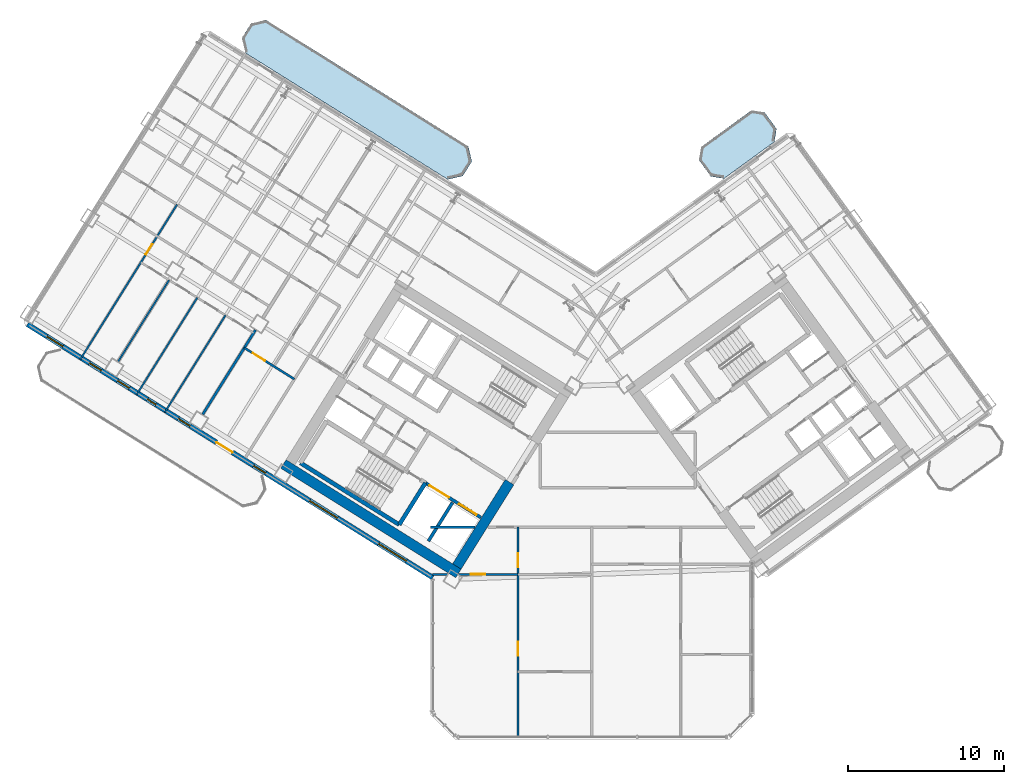
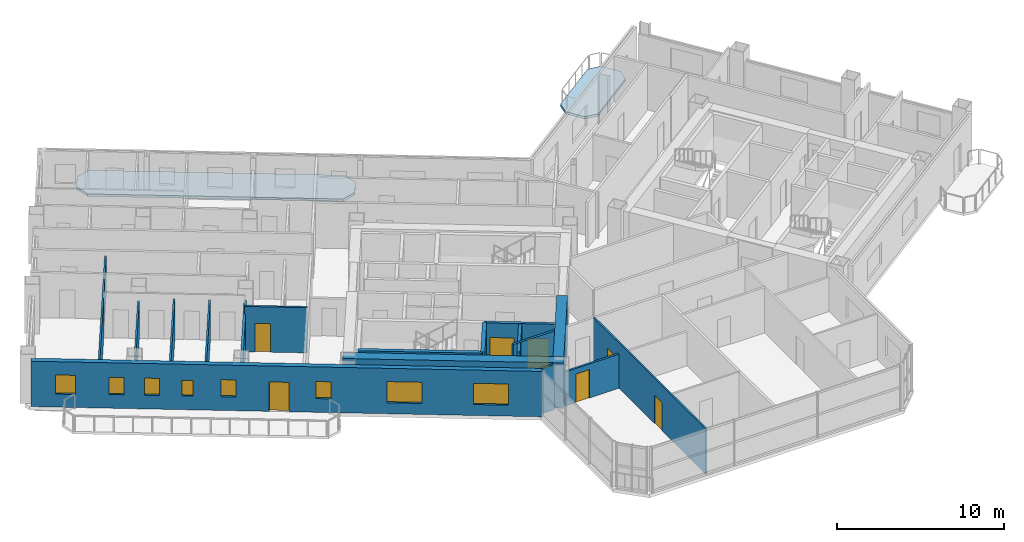
# One storey, part 11 of 22: 17 walls, 8 doors, 8 windows, 2 slabs, 16 openings.
"""IFC4 building model written with IfcOpenShell, lengths in metres."""

from ifc_helpers import new_model, si_unit, direction, frame, frame_2d, origin, place, context, subcontext, project, spatial, polyline, rectangle, outline, extrude, source, transform, mapped, material, layer, layer_set, type_object, element, fill, save


model = new_model("IFC4")

# Units and contexts
model_context = context("Model", 3, precision=1e-05, world=origin(), true_north=direction((0.0, 1.0)))
body_context = subcontext(model_context, "Body", "Model", "MODEL_VIEW")
ifc_project = project(units=[si_unit("LENGTHUNIT", "METRE"), si_unit("AREAUNIT", "SQUARE_METRE"), si_unit("VOLUMEUNIT", "CUBIC_METRE"), si_unit("PLANEANGLEUNIT", "RADIAN"), si_unit("MASSUNIT", "GRAM", prefix="KILO")], contexts=[model_context])

# Site, building, storey
site_placement = place(None, origin())
site = spatial("IfcSite", under=ifc_project, at=site_placement, CompositionType="ELEMENT")
building_placement = place(site_placement, origin())
building = spatial("IfcBuilding", under=site, at=building_placement, Name="Tlacorven Tower", CompositionType="ELEMENT")
storey_placement = place(building_placement, frame((0.0, 0.0, 97.199951171875)))
storey = spatial("IfcBuildingStorey", under=building, at=storey_placement, Name="L24", CompositionType="ELEMENT", Elevation=97.199951171875)

# Slabs
ifc_material_1 = material(Name="Precast concrete C45/55", Category="concrete")
ifc_layer_1 = layer(ifc_material_1, 0.179931640625)
ifc_layer_set_1 = layer_set([ifc_layer_1], Name="Precast concrete C45/55")
slab_type = type_object("IfcSlabType", Name="SL-BAL-180", PredefinedType="USERDEFINED", material=ifc_layer_set_1)
slab_1_placement = place(storey_placement, frame((0.0, 0.0, -0.179931640625)))
element("IfcSlab", 1, at=slab_1_placement, inside=storey, type_object=slab_type, Name="L24 West Wing Balcony Ribbon IN", ObjectType="BALCONY SLAB", PredefinedType="USERDEFINED", context=body_context, shape_type="SweptSolid", body=[
    extrude(outline(polyline([(34.0419921875, 39.835693359375), (21.06689453125, 47.943359375), (20.102294921875, 47.720703125), (19.52197265625, 46.7919921875), (19.744873046875, 45.827392578125), (32.719970703125, 37.7197265625), (33.6845703125, 37.9423828125), (34.2646484375, 38.87109375), (34.0419921875, 39.835693359375)])), origin(), (0.0, 0.0, 1.0), 0.179931640625),
])
slab_2_placement = place(storey_placement, frame((0.0, 0.0, -0.179931640625)))
element("IfcSlab", 2, at=slab_2_placement, inside=storey, type_object=slab_type, Name="L24 East Wing Balcony Ribbon IN", ObjectType="BALCONY SLAB", PredefinedType="USERDEFINED", context=body_context, shape_type="SweptSolid", body=[
    extrude(outline(polyline([(50.433837890625, 37.77880859375), (53.669921875, 40.1298828125), (53.802490234375, 40.968017578125), (53.04150390625, 42.015625), (52.203369140625, 42.1484375), (48.96728515625, 39.79736328125), (48.83447265625, 38.959228515625), (49.595703125, 37.91162109375), (50.433837890625, 37.77880859375)])), origin(), (0.0, 0.0, 1.0), 0.179931640625),
])

# Walls
ifc_material_2 = material(Name="Concrete C60/75", Category="concrete")
ifc_layer_2 = layer(ifc_material_2, 0.64990234375)
ifc_layer_set_2 = layer_set([ifc_layer_2], Name="Concrete C60/75")
wall_type_1 = type_object("IfcWallType", Name="WL-COR-650", PredefinedType="SHEAR", material=ifc_layer_set_2)
wall_1_placement = place(storey_placement, frame((33.40869140625, 12.449951171875, 0.0), z_axis=(0.0, 0.0, 1.0), x_axis=(-0.848051132073, 0.529914405721, 0.0)))
element("IfcWall", 3, at=wall_1_placement, inside=storey, type_object=wall_type_1, Name="L24 W core shear wall S2", PredefinedType="SHEAR", context=body_context, shape_type="SweptSolid", body=[
    extrude(rectangle(XDim=13.239990234375, YDim=0.64990234375, at=frame_2d((6.6201171875, 0.0))), origin(), (0.0, 0.0, 1.0), 3.320068359375),
])
wall_2_placement = place(storey_placement, frame((36.683349609375, 18.30419921875, 0.0), z_axis=(0.0, 0.0, 1.0), x_axis=(-0.529899109053, -0.848060690178, 0.0)))
element("IfcWall", 4, at=wall_2_placement, inside=storey, type_object=wall_type_1, Name="L24 W core end wall E1.2", PredefinedType="SHEAR", context=body_context, shape_type="SweptSolid", body=[
    extrude(rectangle(XDim=6.375244140625, YDim=0.64990234375, at=frame_2d((3.1875, 0.0))), origin(), (0.0, 0.0, 1.0), 3.320068359375),
])
ifc_material_3 = material(Name="Gypsum plasterboard acoustic partition", Category="gypsum")
ifc_layer_3 = layer(ifc_material_3, 0.159912109375)
ifc_layer_set_3 = layer_set([ifc_layer_3], Name="Gypsum plasterboard acoustic partition")
wall_type_2 = type_object("IfcWallType", Name="WL-DEM-160", PredefinedType="PARTITIONING", material=ifc_layer_set_3)
wall_3_placement = place(storey_placement, frame((20.38720703125, 28.060302734375, 0.0), z_axis=(0.0, 0.0, 1.0), x_axis=(-0.529902564924, -0.848058530814, 0.0)))
element("IfcWall", 5, at=wall_3_placement, inside=storey, type_object=wall_type_2, Name="L24 WN Demising Wall 1", PredefinedType="PARTITIONING", context=body_context, shape_type="SweptSolid", body=[
    extrude(rectangle(XDim=6.3759765625, YDim=0.159912109375, at=frame_2d((3.18798828125, 0.0))), origin(), (0.0, 0.0, 1.0), 2.7451171875),
])
wall_4_placement = place(storey_placement, frame((31.60009765625, 15.419921875, 0.0), z_axis=(0.0, 0.0, 1.0), x_axis=(1.0, 0.0, 0.0)))
element("IfcWall", 6, at=wall_4_placement, inside=storey, type_object=wall_type_2, Name="L24 Knuckle Corridor South Wall", PredefinedType="PARTITIONING", context=body_context, shape_type="SweptSolid", body=[
    extrude(rectangle(XDim=2.8662109375, YDim=0.159912109375, at=frame_2d((1.43310546875, 0.0))), origin(), (0.0, 0.0, 1.0), 3.31005859375),
])

# Wall, openings, door, windows
ifc_layer_4 = layer(ifc_material_1, 0.320068359375)
ifc_layer_set_4 = layer_set([ifc_layer_4], Name="Precast concrete C45/55")
wall_type_3 = type_object("IfcWallType", Name="WL-EXT-320", PredefinedType="STANDARD", material=ifc_layer_set_4)
wall_5_placement = place(storey_placement, frame((31.760009765625, 12.18310546875, 0.0), z_axis=(0.0, 0.0, 1.0), x_axis=(-0.848047074256, 0.529920899612, 0.0)))
wall_5 = element("IfcWall", 7, at=wall_5_placement, inside=storey, type_object=wall_type_3, Name="L24 Masonry-Frame Recessed Facade Wall 1", PredefinedType="STANDARD", context=body_context, shape_type="SweptSolid", body=[
    extrude(rectangle(XDim=30.652099609375, YDim=0.320068359375, at=frame_2d((15.326171875, 0.0))), origin(), (0.0, 0.0, 1.0), 3.320068359375),
])
opening_1_placement = place(wall_5_placement, frame((15.1533203125, 0.0, 0.0)))
opening_1 = element("IfcOpeningElement", 8, at=opening_1_placement, cuts=wall_5, Name="Opening D05", PredefinedType="OPENING", context=body_context, shape_type="SweptSolid", body=[
    extrude(rectangle(XDim=1.199951171875, YDim=2.14990234375, at=frame_2d((0.60009765625, 1.074951171875))), frame((0.0, 0.169921875, 0.0), z_axis=(0.0, -1.0, 0.0), x_axis=(1.0, 0.0, 0.0)), (0.0, 0.0, 1.0), 0.340087890625),
])
opening_2_placement = place(wall_5_placement, frame((2.002197265625, 0.0, 0.800048828125)))
opening_2 = element("IfcOpeningElement", 9, at=opening_2_placement, cuts=wall_5, Name="Opening WN04", PredefinedType="OPENING", context=body_context, shape_type="SweptSolid", body=[
    extrude(rectangle(XDim=2.10009765625, YDim=1.550048828125, at=frame_2d((1.050048828125, 0.77490234375))), frame((0.0, 0.169921875, 0.0), z_axis=(0.0, -1.0, 0.0), x_axis=(1.0, 0.0, 0.0)), (0.0, 0.0, 1.0), 0.340087890625),
])
opening_3_placement = place(wall_5_placement, frame((7.206298828125, 0.0, 0.800048828125)))
opening_3 = element("IfcOpeningElement", 10, at=opening_3_placement, cuts=wall_5, Name="Opening WN04", PredefinedType="OPENING", context=body_context, shape_type="SweptSolid", body=[
    extrude(rectangle(XDim=2.10009765625, YDim=1.550048828125, at=frame_2d((1.050048828125, 0.77490234375))), frame((0.0, 0.169921875, 0.0), z_axis=(0.0, -1.0, 0.0), x_axis=(1.0, 0.0, 0.0)), (0.0, 0.0, 1.0), 0.340087890625),
])
opening_4_placement = place(wall_5_placement, frame((12.648193359375, 0.0, 1.0)))
opening_4 = element("IfcOpeningElement", 11, at=opening_4_placement, cuts=wall_5, Name="Opening WN05", PredefinedType="OPENING", context=body_context, shape_type="SweptSolid", body=[
    extrude(rectangle(XDim=0.89990234375, YDim=1.25, at=frame_2d((0.449951171875, 0.625))), frame((0.0, 0.169921875, 0.0), z_axis=(0.0, -1.0, 0.0), x_axis=(1.0, 0.0, 0.0)), (0.0, 0.0, 1.0), 0.340087890625),
])
opening_5_placement = place(wall_5_placement, frame((27.974365234375, 0.0, 0.949951171875)))
opening_5 = element("IfcOpeningElement", 12, at=opening_5_placement, cuts=wall_5, Name="Opening WN03", PredefinedType="OPENING", context=body_context, shape_type="SweptSolid", body=[
    extrude(rectangle(XDim=1.199951171875, YDim=1.39990234375, at=frame_2d((0.60009765625, 0.699951171875))), frame((0.0, 0.169921875, 0.0), z_axis=(0.0, -1.0, 0.0), x_axis=(1.0, 0.0, 0.0)), (0.0, 0.0, 1.0), 0.340087890625),
])
opening_6_placement = place(wall_5_placement, frame((18.3466796875, 0.0, 1.0)))
opening_6 = element("IfcOpeningElement", 13, at=opening_6_placement, cuts=wall_5, Name="Opening WN05", PredefinedType="OPENING", context=body_context, shape_type="SweptSolid", body=[
    extrude(rectangle(XDim=0.89990234375, YDim=1.25, at=frame_2d((0.449951171875, 0.625))), frame((0.0, 0.169921875, 0.0), z_axis=(0.0, -1.0, 0.0), x_axis=(1.0, 0.0, 0.0)), (0.0, 0.0, 1.0), 0.340087890625),
])
opening_7_placement = place(wall_5_placement, frame((20.931396484375, 0.0, 1.0)))
opening_7 = element("IfcOpeningElement", 14, at=opening_7_placement, cuts=wall_5, Name="Opening WN21", PredefinedType="OPENING", context=body_context, shape_type="SweptSolid", body=[
    extrude(rectangle(XDim=0.64990234375, YDim=1.14990234375, at=frame_2d((0.324951171875, 0.574951171875))), frame((0.0, 0.169921875, 0.0), z_axis=(0.0, -1.0, 0.0), x_axis=(1.0, 0.0, 0.0)), (0.0, 0.0, 1.0), 0.340087890625),
])
opening_8_placement = place(wall_5_placement, frame((22.937744140625, 0.0, 1.0)))
opening_8 = element("IfcOpeningElement", 15, at=opening_8_placement, cuts=wall_5, Name="Opening WN05", PredefinedType="OPENING", context=body_context, shape_type="SweptSolid", body=[
    extrude(rectangle(XDim=0.89990234375, YDim=1.25, at=frame_2d((0.449951171875, 0.625))), frame((0.0, 0.169921875, 0.0), z_axis=(0.0, -1.0, 0.0), x_axis=(1.0, 0.0, 0.0)), (0.0, 0.0, 1.0), 0.340087890625),
])
opening_9_placement = place(wall_5_placement, frame((25.0693359375, 0.0, 1.0)))
opening_9 = element("IfcOpeningElement", 16, at=opening_9_placement, cuts=wall_5, Name="Opening WN05", PredefinedType="OPENING", context=body_context, shape_type="SweptSolid", body=[
    extrude(rectangle(XDim=0.89990234375, YDim=1.25, at=frame_2d((0.449951171875, 0.625))), frame((0.0, 0.169921875, 0.0), z_axis=(0.0, -1.0, 0.0), x_axis=(1.0, 0.0, 0.0)), (0.0, 0.0, 1.0), 0.340087890625),
])
ifc_material_4 = material(Name="Powder-coated aluminium and timber door", Category="wood")
door_type_1 = type_object("IfcDoorType", Name="DR-EXT-BALC-1200", OperationType="NOTDEFINED", PredefinedType="DOOR", material=ifc_material_4)
shared_shape_1 = source(origin(), body_context, "Body", "SweptSolid", [
    extrude(rectangle(XDim=1.199951171875, YDim=2.14990234375, at=frame_2d((0.60009765625, 1.074951171875))), frame((0.0, 0.02490234375, 0.0), z_axis=(0.0, -1.0, 0.0), x_axis=(1.0, 0.0, 0.0)), (0.0, 0.0, 1.0), 0.050048828125),
])
door_1_placement = place(opening_1_placement, origin())
door_1 = element("IfcDoor", 17, at=door_1_placement, inside=storey, type_object=door_type_1, Name="L24 Outdoor Access Door BAL-L24-W-OUT", OperationType="SINGLE_SWING_LEFT", OverallHeight=2.14990234375, OverallWidth=1.199951171875, PredefinedType="DOOR", context=body_context, shape_type="MappedRepresentation", body=[
    mapped(shared_shape_1, transform((0.0, 0.0, 0.0), scale=1.0)),
])
fill(opening_1, door_1)
ifc_material_5 = material(Name="Dark solar low-E double glazing in anodised aluminium frame", Category="aluminium")
window_type_1 = type_object("IfcWindowType", Name="WN-APT-2100X1750", PartitioningType="SINGLE_PANEL", PredefinedType="WINDOW", material=ifc_material_5)
shared_shape_2 = source(origin(), body_context, "Body", "SweptSolid", [
    extrude(rectangle(XDim=2.10009765625, YDim=1.550048828125, at=frame_2d((1.050048828125, 0.77490234375))), frame((0.0, 0.030029296875, 0.0), z_axis=(0.0, -1.0, 0.0), x_axis=(1.0, 0.0, 0.0)), (0.0, 0.0, 1.0), 0.06005859375),
])
window_1_placement = place(opening_2_placement, origin())
window_1 = element("IfcWindow", 18, at=window_1_placement, inside=storey, type_object=window_type_1, Name="L24 Recessed Masonry-Frame Window L24-01.1", OverallHeight=1.550048828125, OverallWidth=2.10009765625, PartitioningType="SINGLE_PANEL", PredefinedType="WINDOW", context=body_context, shape_type="MappedRepresentation", body=[
    mapped(shared_shape_2, transform((0.0, 0.0, 0.0), scale=1.0)),
])
fill(opening_2, window_1)
window_2_placement = place(opening_3_placement, origin())
window_2 = element("IfcWindow", 19, at=window_2_placement, inside=storey, type_object=window_type_1, Name="L24 Recessed Masonry-Frame Window L24-01.2", OverallHeight=1.550048828125, OverallWidth=2.10009765625, PartitioningType="SINGLE_PANEL", PredefinedType="WINDOW", context=body_context, shape_type="MappedRepresentation", body=[
    mapped(shared_shape_2, transform((0.0, 0.0, 0.0), scale=1.0)),
])
fill(opening_3, window_2)
window_type_2 = type_object("IfcWindowType", Name="WN-APT-1200X1500", PartitioningType="SINGLE_PANEL", PredefinedType="WINDOW", material=ifc_material_5)
shared_shape_3 = source(origin(), body_context, "Body", "SweptSolid", [
    extrude(rectangle(XDim=1.199951171875, YDim=1.39990234375, at=frame_2d((0.60009765625, 0.699951171875))), frame((0.0, 0.030029296875, 0.0), z_axis=(0.0, -1.0, 0.0), x_axis=(1.0, 0.0, 0.0)), (0.0, 0.0, 1.0), 0.06005859375),
])
window_3_placement = place(opening_5_placement, origin())
window_3 = element("IfcWindow", 20, at=window_3_placement, inside=storey, type_object=window_type_2, Name="L24 Recessed Masonry-Frame Window L24-01.4", OverallHeight=1.39990234375, OverallWidth=1.199951171875, PartitioningType="SINGLE_PANEL", PredefinedType="WINDOW", context=body_context, shape_type="MappedRepresentation", body=[
    mapped(shared_shape_3, transform((0.0, 0.0, 0.0), scale=1.0)),
])
fill(opening_5, window_3)
window_type_3 = type_object("IfcWindowType", Name="WN-APT-0900X1350", PartitioningType="SINGLE_PANEL", PredefinedType="WINDOW", material=ifc_material_5)
shared_shape_4 = source(origin(), body_context, "Body", "SweptSolid", [
    extrude(rectangle(XDim=0.89990234375, YDim=1.25, at=frame_2d((0.449951171875, 0.625))), frame((0.0, 0.030029296875, 0.0), z_axis=(0.0, -1.0, 0.0), x_axis=(1.0, 0.0, 0.0)), (0.0, 0.0, 1.0), 0.06005859375),
])
window_4_placement = place(opening_4_placement, origin())
window_4 = element("IfcWindow", 21, at=window_4_placement, inside=storey, type_object=window_type_3, Name="L24 Recessed Masonry-Frame Window L24-01.3", OverallHeight=1.25, OverallWidth=0.89990234375, PartitioningType="SINGLE_PANEL", PredefinedType="WINDOW", context=body_context, shape_type="MappedRepresentation", body=[
    mapped(shared_shape_4, transform((0.0, 0.0, 0.0), scale=1.0)),
])
fill(opening_4, window_4)
window_5_placement = place(opening_6_placement, origin())
window_5 = element("IfcWindow", 22, at=window_5_placement, inside=storey, type_object=window_type_3, Name="L24 Dwelling Daylight Window L24-U02-BD1", OverallHeight=1.25, OverallWidth=0.89990234375, PartitioningType="SINGLE_PANEL", PredefinedType="WINDOW", context=body_context, shape_type="MappedRepresentation", body=[
    mapped(shared_shape_4, transform((0.0, 0.0, 0.0), scale=1.0)),
])
fill(opening_6, window_5)
window_6_placement = place(opening_8_placement, origin())
window_6 = element("IfcWindow", 23, at=window_6_placement, inside=storey, type_object=window_type_3, Name="L24 Dwelling Daylight Window L24-U02-BD3", OverallHeight=1.25, OverallWidth=0.89990234375, PartitioningType="SINGLE_PANEL", PredefinedType="WINDOW", context=body_context, shape_type="MappedRepresentation", body=[
    mapped(shared_shape_4, transform((0.0, 0.0, 0.0), scale=1.0)),
])
fill(opening_8, window_6)
window_7_placement = place(opening_9_placement, origin())
window_7 = element("IfcWindow", 24, at=window_7_placement, inside=storey, type_object=window_type_3, Name="L24 Dwelling Daylight Window L24-U02-BD4", OverallHeight=1.25, OverallWidth=0.89990234375, PartitioningType="SINGLE_PANEL", PredefinedType="WINDOW", context=body_context, shape_type="MappedRepresentation", body=[
    mapped(shared_shape_4, transform((0.0, 0.0, 0.0), scale=1.0)),
])
fill(opening_9, window_7)
window_type_4 = type_object("IfcWindowType", Name="WN-APT-0650X1150", PartitioningType="SINGLE_PANEL", PredefinedType="WINDOW", material=ifc_material_5)
shared_shape_5 = source(origin(), body_context, "Body", "SweptSolid", [
    extrude(rectangle(XDim=0.64990234375, YDim=1.14990234375, at=frame_2d((0.324951171875, 0.574951171875))), frame((0.0, 0.030029296875, 0.0), z_axis=(0.0, -1.0, 0.0), x_axis=(1.0, 0.0, 0.0)), (0.0, 0.0, 1.0), 0.06005859375),
])
window_8_placement = place(opening_7_placement, origin())
window_8 = element("IfcWindow", 25, at=window_8_placement, inside=storey, type_object=window_type_4, Name="L24 Dwelling Daylight Window L24-U02-BD2", OverallHeight=1.14990234375, OverallWidth=0.64990234375, PartitioningType="SINGLE_PANEL", PredefinedType="WINDOW", context=body_context, shape_type="MappedRepresentation", body=[
    mapped(shared_shape_5, transform((0.0, 0.0, 0.0), scale=1.0)),
])
fill(opening_7, window_8)

# Wall, opening, door
ifc_material_6 = material(Name="Gypsum plasterboard partition", Category="gypsum")
ifc_layer_5 = layer(ifc_material_6, 0.110107421875)
ifc_layer_set_5 = layer_set([ifc_layer_5], Name="Gypsum plasterboard partition")
wall_type_4 = type_object("IfcWallType", Name="WL-INT-110", PredefinedType="PARTITIONING", material=ifc_layer_set_5)
wall_6_placement = place(storey_placement, frame((15.361328125, 36.1083984375, 0.0), z_axis=(0.0, 0.0, 1.0), x_axis=(-0.529912802348, -0.848052133956, 0.0)))
wall_6 = element("IfcWall", 26, at=wall_6_placement, inside=storey, type_object=wall_type_4, Name="L24 partition 59", PredefinedType="PARTITIONING", context=body_context, shape_type="SweptSolid", body=[
    extrude(rectangle(XDim=11.7197265625, YDim=0.110107421875, at=frame_2d((5.85986328125, 0.0))), origin(), (0.0, 0.0, 1.0), 2.93505859375),
])
opening_10_placement = place(wall_6_placement, frame((3.0, 0.0, 0.0)))
opening_10 = element("IfcOpeningElement", 27, at=opening_10_placement, cuts=wall_6, Name="Opening D22", PredefinedType="OPENING", context=body_context, shape_type="SweptSolid", body=[
    extrude(rectangle(XDim=0.780029296875, YDim=2.050048828125, at=frame_2d((0.39013671875, 1.02490234375))), frame((0.0, 0.06494140625, 0.0), z_axis=(0.0, -1.0, 0.0), x_axis=(1.0, 0.0, 0.0)), (0.0, 0.0, 1.0), 0.130126953125),
])
door_type_2 = type_object("IfcDoorType", Name="DR-INT-WET-0780", OperationType="NOTDEFINED", PredefinedType="DOOR", material=ifc_material_4)
shared_shape_6 = source(origin(), body_context, "Body", "SweptSolid", [
    extrude(rectangle(XDim=0.780029296875, YDim=2.050048828125, at=frame_2d((0.39013671875, 1.02490234375))), frame((0.0, 0.02490234375, 0.0), z_axis=(0.0, -1.0, 0.0), x_axis=(1.0, 0.0, 0.0)), (0.0, 0.0, 1.0), 0.050048828125),
])
door_2_placement = place(opening_10_placement, origin())
door_2 = element("IfcDoor", 28, at=door_2_placement, inside=storey, type_object=door_type_2, Name="L24 door 029", OperationType="SINGLE_SWING_LEFT", OverallHeight=2.050048828125, OverallWidth=0.780029296875, PredefinedType="DOOR", context=body_context, shape_type="MappedRepresentation", body=[
    mapped(shared_shape_6, transform((0.0, 0.0, 0.0), scale=1.0)),
])
fill(opening_10, door_2)

# Walls
for number, where, z_axis, x_axis, name in (
    (29, (18.463623046875, 29.005126953125, 0.0), (0.0, 0.0, 1.0), (-0.529927182287, -0.848043148356, 0.0), "L24 partition 65"),
    (30, (16.655517578125, 30.135009765625, 0.0), (0.0, 0.0, 1.0), (-0.529927182287, -0.848043148356, 0.0), "L24 partition 66"),
):
    element("IfcWall", number, at=place(storey_placement, frame(where, z_axis=z_axis, x_axis=x_axis)), inside=storey, type_object=wall_type_4, Name=name, PredefinedType="PARTITIONING", context=body_context, shape_type="SweptSolid", body=[
        extrude(rectangle(XDim=7.340087890625, YDim=0.110107421875, at=frame_2d((3.669921875, 0.0))), origin(), (0.0, 0.0, 1.0), 2.93505859375),
    ])
wall_7_placement = place(storey_placement, frame((14.848388671875, 31.26416015625, 0.0), z_axis=(0.0, 0.0, 1.0), x_axis=(-0.529920534869, -0.848047302174, 0.0)))
element("IfcWall", 31, at=wall_7_placement, inside=storey, type_object=wall_type_4, Name="L24 partition 67", PredefinedType="PARTITIONING", context=body_context, shape_type="SweptSolid", body=[
    extrude(rectangle(XDim=6.157958984375, YDim=0.110107421875, at=frame_2d((3.0791015625, 0.0))), origin(), (0.0, 0.0, 1.0), 2.7451171875),
])

# Wall, openings, doors
wall_8_placement = place(storey_placement, frame((37.221923828125, 1.9599609375, 0.0), z_axis=(0.0, 0.0, 1.0), x_axis=(0.0, 1.0, 0.0)))
wall_8 = element("IfcWall", 32, at=wall_8_placement, inside=storey, type_object=wall_type_4, Name="L24 partition 91", PredefinedType="PARTITIONING", context=body_context, shape_type="SweptSolid", body=[
    extrude(rectangle(XDim=13.4599609375, YDim=0.110107421875, at=frame_2d((6.72998046875, 0.0))), origin(), (0.0, 0.0, 1.0), 3.31005859375),
])
opening_11_placement = place(wall_8_placement, frame((5.199951171875, 0.0, 0.0)))
opening_11 = element("IfcOpeningElement", 33, at=opening_11_placement, cuts=wall_8, Name="Opening D12", PredefinedType="OPENING", context=body_context, shape_type="SweptSolid", body=[
    extrude(rectangle(XDim=0.919921875, YDim=2.080078125, at=frame_2d((0.4599609375, 1.0400390625))), frame((0.0, 0.06494140625, 0.0), z_axis=(0.0, -1.0, 0.0), x_axis=(1.0, 0.0, 0.0)), (0.0, 0.0, 1.0), 0.130126953125),
])
opening_12_placement = place(wall_8_placement, frame((10.889892578125, 0.0, 0.0)))
opening_12 = element("IfcOpeningElement", 34, at=opening_12_placement, cuts=wall_8, Name="Opening D13", PredefinedType="OPENING", context=body_context, shape_type="SweptSolid", body=[
    extrude(rectangle(XDim=0.8798828125, YDim=2.080078125, at=frame_2d((0.43994140625, 1.0400390625))), frame((0.0, 0.06494140625, 0.0), z_axis=(0.0, -1.0, 0.0), x_axis=(1.0, 0.0, 0.0)), (0.0, 0.0, 1.0), 0.130126953125),
])
door_type_3 = type_object("IfcDoorType", Name="DR-INT-WET-0880", OperationType="NOTDEFINED", PredefinedType="DOOR", material=ifc_material_4)
shared_shape_7 = source(origin(), body_context, "Body", "SweptSolid", [
    extrude(rectangle(XDim=0.8798828125, YDim=2.080078125, at=frame_2d((0.43994140625, 1.0400390625))), frame((0.0, 0.02490234375, 0.0), z_axis=(0.0, -1.0, 0.0), x_axis=(1.0, 0.0, 0.0)), (0.0, 0.0, 1.0), 0.050048828125),
])
door_3_placement = place(opening_12_placement, origin())
door_3 = element("IfcDoor", 35, at=door_3_placement, inside=storey, type_object=door_type_3, Name="L24 door 058", OperationType="SINGLE_SWING_RIGHT", OverallHeight=2.080078125, OverallWidth=0.8798828125, PredefinedType="DOOR", context=body_context, shape_type="MappedRepresentation", body=[
    mapped(shared_shape_7, transform((0.0, 0.0, 0.0), scale=1.0)),
])
fill(opening_12, door_3)
door_type_4 = type_object("IfcDoorType", Name="DR-INT-ROOM-0920", OperationType="NOTDEFINED", PredefinedType="DOOR", material=ifc_material_4)
shared_shape_8 = source(origin(), body_context, "Body", "SweptSolid", [
    extrude(rectangle(XDim=0.919921875, YDim=2.080078125, at=frame_2d((0.4599609375, 1.0400390625))), frame((0.0, 0.02490234375, 0.0), z_axis=(0.0, -1.0, 0.0), x_axis=(1.0, 0.0, 0.0)), (0.0, 0.0, 1.0), 0.050048828125),
])
door_4_placement = place(opening_11_placement, origin())
door_4 = element("IfcDoor", 36, at=door_4_placement, inside=storey, type_object=door_type_4, Name="L24 door 054", OperationType="SINGLE_SWING_RIGHT", OverallHeight=2.080078125, OverallWidth=0.919921875, PredefinedType="DOOR", context=body_context, shape_type="MappedRepresentation", body=[
    mapped(shared_shape_8, transform((0.0, 0.0, 0.0), scale=1.0)),
])
fill(opening_11, door_4)

# Wall, opening, door
ifc_material_7 = material(Name="Moisture-resistant gypsum plumbing wall", Category="gypsum")
ifc_layer_6 = layer(ifc_material_7, 0.139892578125)
ifc_layer_set_6 = layer_set([ifc_layer_6], Name="Moisture-resistant gypsum plumbing wall")
wall_type_5 = type_object("IfcWallType", Name="WL-PLM-140", PredefinedType="PLUMBINGWALL", material=ifc_layer_set_6)
wall_9_placement = place(storey_placement, frame((22.886962890625, 24.90869140625, 0.0), z_axis=(0.0, 0.0, 1.0), x_axis=(-0.84803087207, 0.529946827537, 0.0)))
wall_9 = element("IfcWall", 37, at=wall_9_placement, inside=storey, type_object=wall_type_5, Name="L24 partition 57", PredefinedType="PLUMBINGWALL", context=body_context, shape_type="SweptSolid", body=[
    extrude(rectangle(XDim=3.7900390625, YDim=0.139892578125, at=frame_2d((1.89501953125, 0.0))), origin(), (0.0, 0.0, 1.0), 3.31005859375),
])
opening_13_placement = place(wall_9_placement, frame((2.22998046875, 0.0, 0.0)))
opening_13 = element("IfcOpeningElement", 38, at=opening_13_placement, cuts=wall_9, Name="Opening D12", PredefinedType="OPENING", context=body_context, shape_type="SweptSolid", body=[
    extrude(rectangle(XDim=0.919921875, YDim=2.080078125, at=frame_2d((0.4599609375, 1.0400390625))), frame((0.0, 0.080078125, 0.0), z_axis=(0.0, -1.0, 0.0), x_axis=(1.0, 0.0, 0.0)), (0.0, 0.0, 1.0), 0.159912109375),
])
door_5_placement = place(opening_13_placement, origin())
door_5 = element("IfcDoor", 39, at=door_5_placement, inside=storey, type_object=door_type_4, Name="L24 door 024", OperationType="SINGLE_SWING_RIGHT", OverallHeight=2.080078125, OverallWidth=0.919921875, PredefinedType="DOOR", context=body_context, shape_type="MappedRepresentation", body=[
    mapped(shared_shape_8, transform((0.0, 0.0, 0.0), scale=1.0)),
])
fill(opening_13, door_5)

# Wall
wall_10_placement = place(storey_placement, frame((31.739990234375, 12.389892578125, 0.0), z_axis=(0.0, 0.0, 1.0), x_axis=(1.0, 0.0, 0.0)))
element("IfcWall", 40, at=wall_10_placement, inside=storey, type_object=wall_type_5, Name="L24 partition 92", PredefinedType="PLUMBINGWALL", context=body_context, shape_type="SweptSolid", body=[
    extrude(rectangle(XDim=0.95068359375, YDim=0.139892578125, at=frame_2d((0.475341796875, 0.0))), origin(), (0.0, 0.0, 1.0), 3.31005859375),
])

# Wall, opening, door
wall_11_placement = place(storey_placement, frame((33.432861328125, 12.389892578125, 0.0), z_axis=(0.0, 0.0, 1.0), x_axis=(1.0, 0.0, 0.0)))
wall_11 = element("IfcWall", 41, at=wall_11_placement, inside=storey, type_object=wall_type_5, Name="L24 partition 92", PredefinedType="PLUMBINGWALL", context=body_context, shape_type="SweptSolid", body=[
    extrude(rectangle(XDim=3.7890625, YDim=0.139892578125, at=frame_2d((1.89453125, 0.0))), origin(), (0.0, 0.0, 1.0), 2.4951171875),
])
opening_14_placement = place(wall_11_placement, frame((0.76806640625, 0.0, 0.0)))
opening_14 = element("IfcOpeningElement", 42, at=opening_14_placement, cuts=wall_11, Name="Opening D12", PredefinedType="OPENING", context=body_context, shape_type="SweptSolid", body=[
    extrude(rectangle(XDim=0.919921875, YDim=2.080078125, at=frame_2d((0.4599609375, 1.0400390625))), frame((0.0, 0.080078125, 0.0), z_axis=(0.0, -1.0, 0.0), x_axis=(1.0, 0.0, 0.0)), (0.0, 0.0, 1.0), 0.159912109375),
])
door_6_placement = place(opening_14_placement, frame((0.919921875, 0.0, 0.0), z_axis=(0.0, 0.0, 1.0), x_axis=(-1.0, 0.0, 0.0)))
door_6 = element("IfcDoor", 43, at=door_6_placement, inside=storey, type_object=door_type_4, Name="L24 door 057", OperationType="SINGLE_SWING_RIGHT", OverallHeight=2.080078125, OverallWidth=0.919921875, PredefinedType="DOOR", context=body_context, shape_type="MappedRepresentation", body=[
    mapped(shared_shape_8, transform((0.0, 0.0, 0.0), scale=1.0)),
])
fill(opening_14, door_6)

# Wall, openings, doors
ifc_material_8 = material(Name="Concrete C40/50", Category="concrete")
ifc_layer_7 = layer(ifc_material_8, 0.199951171875)
ifc_layer_set_7 = layer_set([ifc_layer_7], Name="Concrete C40/50")
wall_type_6 = type_object("IfcWallType", Name="WL-SHF-200", PredefinedType="STANDARD", material=ifc_layer_set_7)
wall_12_placement = place(storey_placement, frame((34.84814453125, 16.03125, 0.0), z_axis=(0.0, 0.0, 1.0), x_axis=(-0.848044042236, 0.529925751807, 0.0)))
wall_12 = element("IfcWall", 44, at=wall_12_placement, inside=storey, type_object=wall_type_6, Name="L24 Core W Firefighting Lift Shaft Front Wall", PredefinedType="STANDARD", context=body_context, shape_type="SweptSolid", body=[
    extrude(rectangle(XDim=4.197998046875, YDim=0.199951171875, at=frame_2d((2.09912109375, 0.0))), origin(), (0.0, 0.0, 1.0), 3.31005859375),
])
opening_15_placement = place(wall_12_placement, frame((0.347900390625, 0.0, 0.0)))
opening_15 = element("IfcOpeningElement", 45, at=opening_15_placement, cuts=wall_12, Name="Opening LD03", PredefinedType="OPENING", context=body_context, shape_type="SweptSolid", body=[
    extrude(rectangle(XDim=1.300048828125, YDim=2.199951171875, at=frame_2d((0.64990234375, 1.10009765625))), frame((0.0, 0.10986328125, 0.0), z_axis=(0.0, -1.0, 0.0), x_axis=(1.0, 0.0, 0.0)), (0.0, 0.0, 1.0), 0.219970703125),
])
opening_16_placement = place(wall_12_placement, frame((2.423095703125, 0.0, 0.0)))
opening_16 = element("IfcOpeningElement", 46, at=opening_16_placement, cuts=wall_12, Name="Opening LD04", PredefinedType="OPENING", context=body_context, shape_type="SweptSolid", body=[
    extrude(rectangle(XDim=1.449951171875, YDim=2.25, at=frame_2d((0.72509765625, 1.125))), frame((0.0, 0.10986328125, 0.0), z_axis=(0.0, -1.0, 0.0), x_axis=(1.0, 0.0, 0.0)), (0.0, 0.0, 1.0), 0.219970703125),
])
ifc_material_9 = material(Name="Fire-rated steel door assembly", Category="steel")
door_type_5 = type_object("IfcDoorType", Name="DR-LFT-SLID-1300", OperationType="DOUBLE_DOOR_SLIDING", PredefinedType="DOOR", material=ifc_material_9)
shared_shape_9 = source(origin(), body_context, "Body", "SweptSolid", [
    extrude(rectangle(XDim=1.300048828125, YDim=2.199951171875, at=frame_2d((0.64990234375, 1.10009765625))), frame((0.0, 0.02490234375, 0.0), z_axis=(0.0, -1.0, 0.0), x_axis=(1.0, 0.0, 0.0)), (0.0, 0.0, 1.0), 0.050048828125),
])
door_7_placement = place(opening_15_placement, origin())
door_7 = element("IfcDoor", 47, at=door_7_placement, inside=storey, type_object=door_type_5, Name="L24 Lift FFL-W1 Sliding Landing Door", OperationType="DOUBLE_DOOR_SLIDING", OverallHeight=2.199951171875, OverallWidth=1.300048828125, PredefinedType="DOOR", context=body_context, shape_type="MappedRepresentation", body=[
    mapped(shared_shape_9, transform((0.0, 0.0, 0.0), scale=1.0)),
])
fill(opening_15, door_7)
door_type_6 = type_object("IfcDoorType", Name="DR-LFT-SLID-1450", OperationType="DOUBLE_DOOR_SLIDING", PredefinedType="DOOR", material=ifc_material_9)
shared_shape_10 = source(origin(), body_context, "Body", "SweptSolid", [
    extrude(rectangle(XDim=1.449951171875, YDim=2.25, at=frame_2d((0.72509765625, 1.125))), frame((0.0, 0.02490234375, 0.0), z_axis=(0.0, -1.0, 0.0), x_axis=(1.0, 0.0, 0.0)), (0.0, 0.0, 1.0), 0.050048828125),
])
door_8_placement = place(opening_16_placement, origin())
door_8 = element("IfcDoor", 48, at=door_8_placement, inside=storey, type_object=door_type_6, Name="L24 Lift SVL-W1 Sliding Landing Door", OperationType="DOUBLE_DOOR_SLIDING", OverallHeight=2.25, OverallWidth=1.449951171875, PredefinedType="DOOR", context=body_context, shape_type="MappedRepresentation", body=[
    mapped(shared_shape_10, transform((0.0, 0.0, 0.0), scale=1.0)),
])
fill(opening_16, door_8)

# Walls
wall_13_placement = place(storey_placement, frame((33.02880859375, 17.003173828125, 0.0), z_axis=(0.0, 0.0, 1.0), x_axis=(-0.529916267533, -0.848049968695, 0.0)))
element("IfcWall", 49, at=wall_13_placement, inside=storey, type_object=wall_type_6, Name="L24 partition 14", PredefinedType="STANDARD", context=body_context, shape_type="SweptSolid", body=[
    extrude(rectangle(XDim=2.919921875, YDim=0.199951171875, at=frame_2d((1.4599609375, 0.0))), origin(), (0.0, 0.0, 1.0), 3.31005859375),
])
ifc_material_10 = material(Name="Concrete C50/60", Category="concrete")
ifc_layer_8 = layer(ifc_material_10, 0.260009765625)
ifc_layer_set_8 = layer_set([ifc_layer_8], Name="Concrete C50/60")
wall_type_7 = type_object("IfcWallType", Name="WL-STW-260", PredefinedType="SHEAR", material=ifc_layer_set_8)
wall_14_placement = place(storey_placement, frame((29.60498046875, 15.581298828125, 0.0), z_axis=(0.0, 0.0, 1.0), x_axis=(-0.848036911448, 0.529937163087, 0.0)))
element("IfcWall", 50, at=wall_14_placement, inside=storey, type_object=wall_type_7, Name="L24 Stair W1 Far Shear Wall", PredefinedType="SHEAR", context=body_context, shape_type="SweptSolid", body=[
    extrude(rectangle(XDim=7.4599609375, YDim=0.260009765625, at=frame_2d((3.72998046875, 0.0))), origin(), (0.0, 0.0, 1.0), 3.320068359375),
])
wall_15_placement = place(storey_placement, frame((31.2880859375, 18.255859375, 0.0), z_axis=(0.0, 0.0, 1.0), x_axis=(-0.529943379326, -0.848033026897, 0.0)))
element("IfcWall", 51, at=wall_15_placement, inside=storey, type_object=wall_type_7, Name="L24 Stair W1 West Shear Wall", PredefinedType="SHEAR", context=body_context, shape_type="SweptSolid", body=[
    extrude(rectangle(XDim=3.159912109375, YDim=0.260009765625, at=frame_2d((1.580078125, 0.0))), origin(), (0.0, 0.0, 1.0), 3.320068359375),
])

save(model, "model.ifc")
